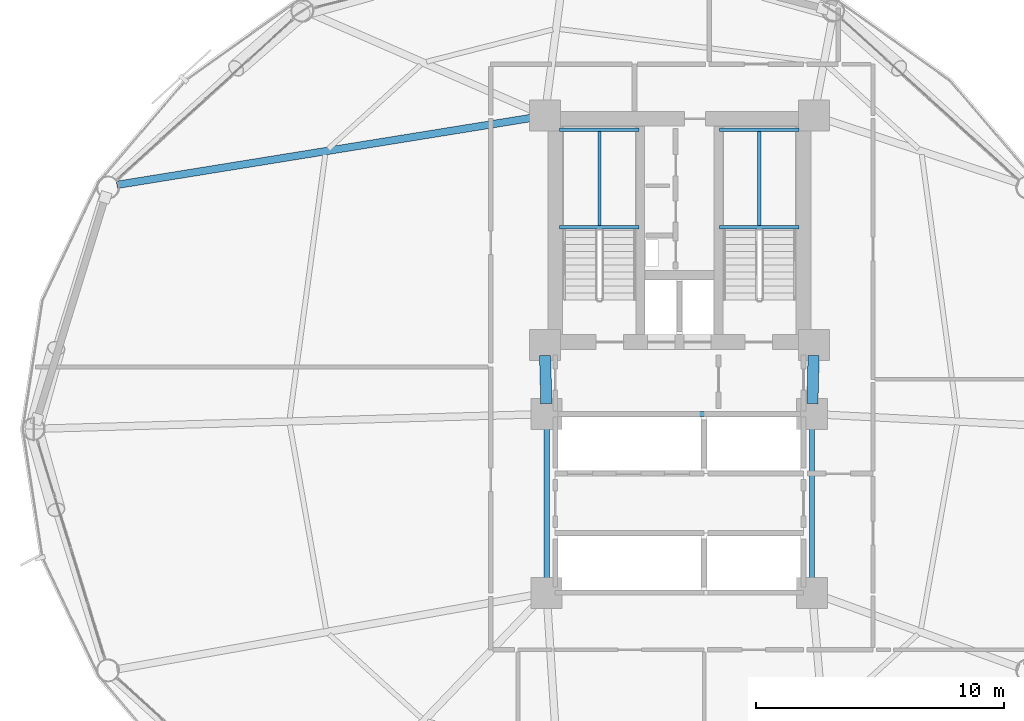
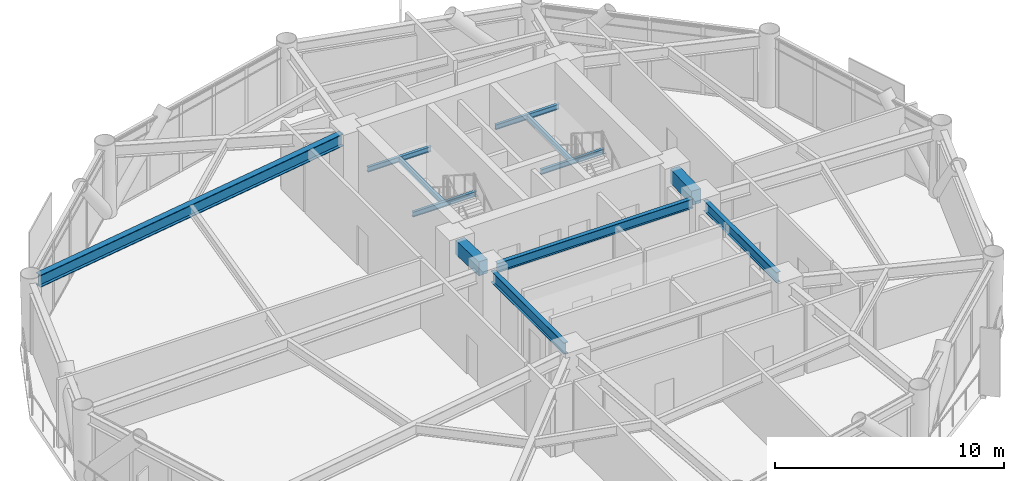
# One storey, part 11 of 25: 12 beams.
"""IFC4 building model written with IfcOpenShell, lengths in metres."""

from ifc_helpers import new_model, si_unit, direction, frame, origin, origin_2d, place, context, subcontext, project, spatial, rectangle, i_section, extrude, material, material_profile, profile_set, type_object, element, save


model = new_model("IFC4")

# Units and contexts
model_context = context("Model", 3, precision=1e-05, world=origin(), true_north=direction((0.0, 1.0)))
body_context = subcontext(model_context, "Body", "Model", "MODEL_VIEW")
ifc_project = project(units=[si_unit("LENGTHUNIT", "METRE"), si_unit("AREAUNIT", "SQUARE_METRE"), si_unit("VOLUMEUNIT", "CUBIC_METRE"), si_unit("PLANEANGLEUNIT", "RADIAN"), si_unit("MASSUNIT", "GRAM", prefix="KILO")], contexts=[model_context])

# Site, building, storey
site_placement = place(None, origin())
site = spatial("IfcSite", under=ifc_project, at=site_placement, CompositionType="ELEMENT")
building_placement = place(site_placement, origin())
building = spatial("IfcBuilding", under=site, at=building_placement, Name="Varnakorn Sky Granary", CompositionType="ELEMENT")
storey_placement = place(building_placement, frame((0.0, 0.0, 62.699951171875)))
storey = spatial("IfcBuildingStorey", under=building, at=storey_placement, Name="L15", CompositionType="ELEMENT", Elevation=62.699951171875)

# Beams
ifc_material_1 = material(Name="Steel S355JR", Category="steel")
ifc_material_profile_1 = material_profile(ifc_material_1, i_section(OverallWidth=0.2099609375, OverallDepth=0.550048828125, WebThickness=0.010986328125, FlangeThickness=0.01708984375, at=origin_2d()), Name="IPE 550")
ifc_profile_set_1 = profile_set([ifc_material_profile_1], Name="Steel S355JR")
beam_type_1 = type_object("IfcBeamType", Name="BM-JST-550", PredefinedType="JOIST", material=ifc_profile_set_1)
beam_1_placement = place(storey_placement, frame((8.35009765625, 0.179931640625, 3.364990234375), z_axis=(0.0, -1.0, 0.0), x_axis=(1.0, 0.0, 0.0)))
element("IfcBeam", 1, at=beam_1_placement, inside=storey, type_object=beam_type_1, Name="Core Spine Framing Beam 4 L15", PredefinedType="JOIST", context=body_context, shape_type="SweptSolid", body=[
    extrude(i_section(OverallWidth=0.2099609375, OverallDepth=0.550048828125, WebThickness=0.010986328125, FlangeThickness=0.01708984375, at=origin_2d()), origin(), (0.0, 0.0, 1.0), 6.35986328125),
])
ifc_material_profile_2 = material_profile(ifc_material_1, i_section(OverallWidth=0.219970703125, OverallDepth=0.60009765625, WebThickness=0.011962890625, FlangeThickness=0.01904296875, at=origin_2d()), Name="IPE 600")
ifc_profile_set_2 = profile_set([ifc_material_profile_2], Name="Steel S355JR")
beam_type_2 = type_object("IfcBeamType", Name="BM-JST-600", PredefinedType="JOIST", material=ifc_profile_set_2)
beam_2_placement = place(storey_placement, frame((-2.35009765625, 0.179931640625, 3.340087890625), z_axis=(0.0, -1.0, 0.0), x_axis=(1.0, 0.0, 0.0)))
element("IfcBeam", 2, at=beam_2_placement, inside=storey, type_object=beam_type_2, Name="Core Spine Framing Beam 3 L15", PredefinedType="JOIST", context=body_context, shape_type="SweptSolid", body=[
    extrude(i_section(OverallWidth=0.219970703125, OverallDepth=0.60009765625, WebThickness=0.011962890625, FlangeThickness=0.01904296875, at=origin_2d()), origin(), (0.0, 0.0, 1.0), 6.35986328125),
])
ifc_material_2 = material(Name="Concrete C60/75", Category="concrete")
ifc_material_profile_3 = material_profile(ifc_material_2, rectangle(XDim=0.449951171875, YDim=0.75, at=origin_2d()), Name="RC 450x750")
ifc_profile_set_3 = profile_set([ifc_material_profile_3], Name="Concrete C60/75")
beam_type_3 = type_object("IfcBeamType", Name="BM-LIN-750", PredefinedType="LINTEL", material=ifc_profile_set_3)
for number, where, z_axis, x_axis, name in (
    (3, (-2.409423828125, 2.960205078125, 3.26513671875), (0.025158763514, -0.999683468213, 0.0), (0.999683468213, 0.025158763514, 0.0), "Core Spine Framing Beam 1 L15"),
    (4, (8.409423828125, 2.960205078125, 3.26513671875), (-0.025158763514, -0.999683468213, 0.0), (0.999683468213, -0.025158763514, 0.0), "Core Spine Framing Beam 2 L15"),
):
    element("IfcBeam", number, at=place(storey_placement, frame(where, z_axis=z_axis, x_axis=x_axis)), inside=storey, type_object=beam_type_3, Name=name, PredefinedType="LINTEL", context=body_context, shape_type="SweptSolid", body=[
        extrude(rectangle(XDim=0.449951171875, YDim=0.75, at=origin_2d()), origin(), (0.0, 0.0, 1.0), 1.94091796875),
    ])
ifc_material_profile_4 = material_profile(ifc_material_1, i_section(OverallWidth=0.135009765625, OverallDepth=0.27001953125, WebThickness=0.006591796875, FlangeThickness=0.01025390625, at=origin_2d()), Name="IPE 270")
ifc_profile_set_4 = profile_set([ifc_material_profile_4], Name="Steel S355JR")
beam_type_4 = type_object("IfcBeamType", Name="BM-LND-270", PredefinedType="BEAM", material=ifc_profile_set_4)
for number, where, z_axis, x_axis, name in (
    (5, (-1.820068359375, 8.1201171875, 1.614990234375), (1.0, 0.0, 0.0), (0.0, 1.0, 0.0), "Stair ST-1 Landing Trimmer Beam A L15-1"),
    (6, (-1.820068359375, 12.06005859375, 1.614990234375), (1.0, 0.0, 0.0), (0.0, 1.0, 0.0), "Stair ST-1 Landing Trimmer Beam B L15-1"),
):
    element("IfcBeam", number, at=place(storey_placement, frame(where, z_axis=z_axis, x_axis=x_axis)), inside=storey, type_object=beam_type_4, Name=name, PredefinedType="BEAM", context=body_context, shape_type="SweptSolid", body=[
        extrude(i_section(OverallWidth=0.135009765625, OverallDepth=0.27001953125, WebThickness=0.006591796875, FlangeThickness=0.01025390625, at=origin_2d()), origin(), (0.0, 0.0, 1.0), 3.199951171875),
    ])
beam_3_placement = place(storey_placement, frame((-0.219970703125, 8.1201171875, 1.614990234375), z_axis=(0.0, 1.0, 0.0), x_axis=(-1.0, 0.0, 0.0)))
element("IfcBeam", 7, at=beam_3_placement, inside=storey, type_object=beam_type_4, Name="Stair ST-1 Landing Cross Beam C L15-1", PredefinedType="BEAM", context=body_context, shape_type="SweptSolid", body=[
    extrude(i_section(OverallWidth=0.135009765625, OverallDepth=0.27001953125, WebThickness=0.006591796875, FlangeThickness=0.01025390625, at=origin_2d()), origin(), (0.0, 0.0, 1.0), 3.93994140625),
])
for number, where, z_axis, x_axis, name in (
    (8, (4.6201171875, 8.1201171875, 1.614990234375), (1.0, 0.0, 0.0), (0.0, 1.0, 0.0), "Stair ST-2 Landing Trimmer Beam A L15-1"),
    (9, (4.6201171875, 12.06005859375, 1.614990234375), (1.0, 0.0, 0.0), (0.0, 1.0, 0.0), "Stair ST-2 Landing Trimmer Beam B L15-1"),
):
    element("IfcBeam", number, at=place(storey_placement, frame(where, z_axis=z_axis, x_axis=x_axis)), inside=storey, type_object=beam_type_4, Name=name, PredefinedType="BEAM", context=body_context, shape_type="SweptSolid", body=[
        extrude(i_section(OverallWidth=0.135009765625, OverallDepth=0.27001953125, WebThickness=0.006591796875, FlangeThickness=0.01025390625, at=origin_2d()), origin(), (0.0, 0.0, 1.0), 3.199951171875),
    ])
beam_4_placement = place(storey_placement, frame((6.219970703125, 8.1201171875, 1.614990234375), z_axis=(0.0, 1.0, 0.0), x_axis=(-1.0, 0.0, 0.0)))
element("IfcBeam", 10, at=beam_4_placement, inside=storey, type_object=beam_type_4, Name="Stair ST-2 Landing Cross Beam C L15-1", PredefinedType="BEAM", context=body_context, shape_type="SweptSolid", body=[
    extrude(i_section(OverallWidth=0.135009765625, OverallDepth=0.27001953125, WebThickness=0.006591796875, FlangeThickness=0.01025390625, at=origin_2d()), origin(), (0.0, 0.0, 1.0), 3.93994140625),
])
ifc_material_profile_5 = material_profile(ifc_material_1, i_section(OverallWidth=0.300048828125, OverallDepth=0.64990234375, WebThickness=0.01611328125, FlangeThickness=0.031005859375, at=origin_2d()), Name="HE 650 B")
ifc_profile_set_5 = profile_set([ifc_material_profile_5], Name="Steel S355JR")
beam_type_5 = type_object("IfcBeamType", Name="BM-RAD-Z1", PredefinedType="BEAM", material=ifc_profile_set_5)
beam_5_placement = place(storey_placement, frame((-2.834716796875, 12.552978515625, 3.31494140625), z_axis=(-0.987193717875, -0.159526058648, 0.0), x_axis=(0.159526058648, -0.987193717875, 0.0)))
element("IfcBeam", 11, at=beam_5_placement, inside=storey, type_object=beam_type_5, Name="Radial Floor Girder RG06 L15", PredefinedType="BEAM", context=body_context, shape_type="SweptSolid", body=[
    extrude(i_section(OverallWidth=0.300048828125, OverallDepth=0.64990234375, WebThickness=0.01611328125, FlangeThickness=0.031005859375, at=origin_2d()), origin(), (0.0, 0.0, 1.0), 17.044189453125),
])
ifc_material_profile_6 = material_profile(ifc_material_1, i_section(OverallWidth=0.199951171875, OverallDepth=0.5, WebThickness=0.01025390625, FlangeThickness=0.01611328125, at=origin_2d()), Name="IPE 500")
ifc_profile_set_6 = profile_set([ifc_material_profile_6], Name="Steel S355JR")
beam_type_6 = type_object("IfcBeamType", Name="BM-SEC-Z1", PredefinedType="BEAM", material=ifc_profile_set_6)
beam_6_placement = place(storey_placement, frame((-1.929931640625, 0.60009765625, 3.39013671875), z_axis=(1.0, 0.0, 0.0), x_axis=(0.0, 1.0, 0.0)))
element("IfcBeam", 12, at=beam_6_placement, inside=storey, type_object=beam_type_6, Name="Core Spine Framing Beam 5 L15", PredefinedType="BEAM", context=body_context, shape_type="SweptSolid", body=[
    extrude(i_section(OverallWidth=0.199951171875, OverallDepth=0.5, WebThickness=0.01025390625, FlangeThickness=0.01611328125, at=origin_2d()), origin(), (0.0, 0.0, 1.0), 9.85986328125),
])

save(model, "model.ifc")
